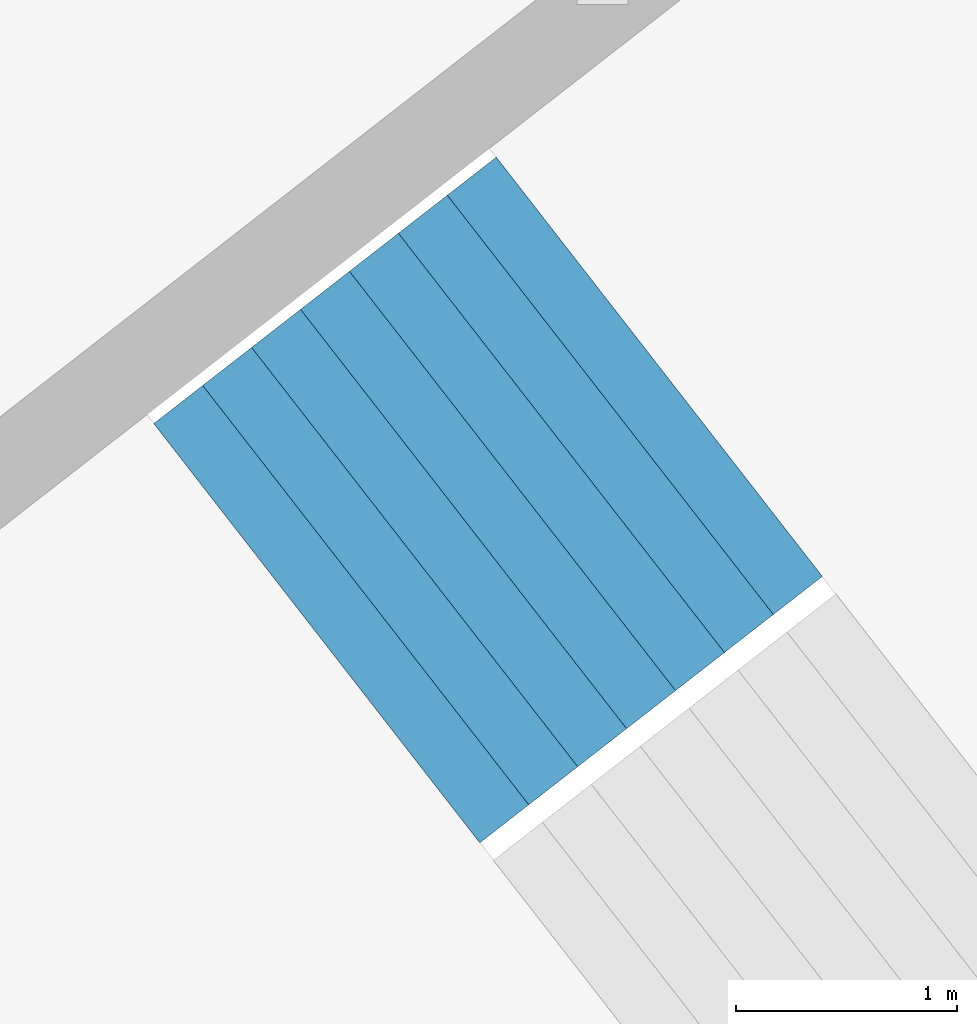
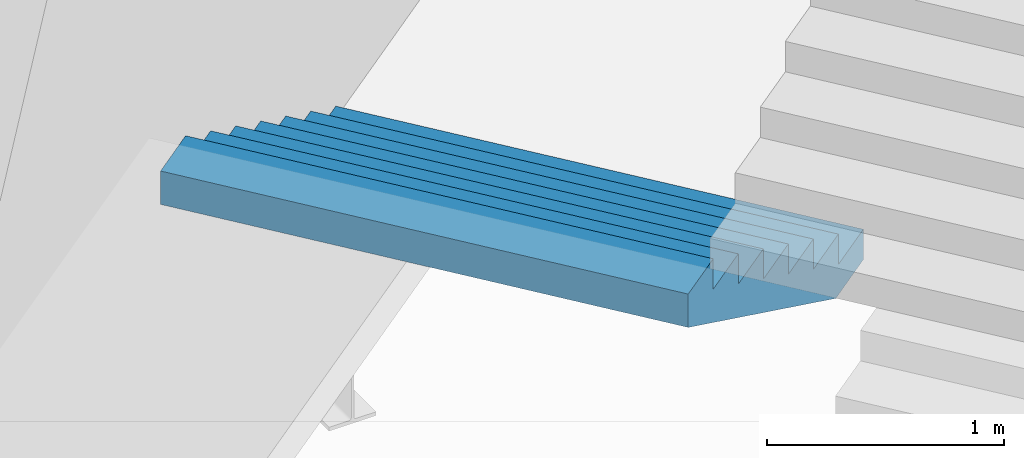
# One storey, part 63 of 73: 1 stair flight, 1 element without a shape of its own.
"""IFC4 building model written with IfcOpenShell, lengths in metres."""

from ifc_helpers import new_model, si_unit, direction, frame, origin, place, context, subcontext, project, spatial, triangles, material, type_object, element, aggregate, save


model = new_model("IFC4")

# Units and contexts
model_context = context("Model", 3, precision=1e-05, world=origin(), true_north=direction((0.0, 1.0)))
body_context = subcontext(model_context, "Body", "Model", "MODEL_VIEW")
ifc_project = project(units=[si_unit("LENGTHUNIT", "METRE"), si_unit("AREAUNIT", "SQUARE_METRE"), si_unit("VOLUMEUNIT", "CUBIC_METRE"), si_unit("PLANEANGLEUNIT", "RADIAN"), si_unit("MASSUNIT", "GRAM", prefix="KILO")], contexts=[model_context])

# Site, building, storey
site_placement = place(None, origin())
site = spatial("IfcSite", under=ifc_project, at=site_placement, CompositionType="ELEMENT")
building_placement = place(site_placement, origin())
building = spatial("IfcBuilding", under=site, at=building_placement, Name="Lantaw Convention Tower", CompositionType="ELEMENT")
storey_placement = place(building_placement, frame((0.0, 0.0, 27.0)))
storey = spatial("IfcBuildingStorey", under=building, at=storey_placement, Name="L04", CompositionType="ELEMENT", Elevation=27.0)

# Stair, stair flight
ifc_material = material(Name="Concrete C35/45", Category="concrete")
stair_type = type_object("IfcStairType", Name="Exit stair 2400 riser 156.25 in 4 flights", PredefinedType="HALF_TURN_STAIR", material=ifc_material)
stair_placement = place(storey_placement, origin())
stair = element("IfcStair", 1, at=stair_placement, inside=storey, type_object=stair_type, Name="Podium exit stair P3 L04", PredefinedType="HALF_TURN_STAIR")
stair_flight_type = type_object("IfcStairFlightType", Name="Stair flight 2400 riser 156.25", PredefinedType="STRAIGHT", material=ifc_material)
stair_flight_placement = place(storey_placement, frame((29.5068359375, 24.53125, 1.25), z_axis=(0.0, 0.0, 1.0), x_axis=(-0.789378829664, -0.613906396186, 0.0)))
stair_flight = element("IfcStairFlight", 2, at=stair_flight_placement, type_object=stair_flight_type, Name="P3 flight 2", NumberOfRisers=8, NumberOfTreads=7, PredefinedType="STRAIGHT", RiserHeight=0.15625, TreadLength=0.28, context=body_context, shape_type="Tessellation", body=[
    triangles([(0.0, 1.199951171875, 0.0), (0.0, 1.199951171875, 0.15625), (0.28, 1.199951171875, 0.0), (0.28, 1.199951171875, 0.15625), (0.28, 1.199951171875, 0.3125), (0.3076200632058044, 1.199951171875, 0.0), (0.3076200632058044, 1.199951171875, 0.3125), (0.56, 1.199951171875, 0.14083701830033238), (0.56, 1.199951171875, 0.3125), (0.56, 1.199951171875, 0.46875), (0.8400000000000001, 1.199951171875, 0.29708701830033235), (0.8400000000000001, 1.199951171875, 0.46875), (0.8400000000000001, 1.199951171875, 0.625), (1.12, 1.199951171875, 0.45333701830033235), (1.12, 1.199951171875, 0.625), (1.12, 1.199951171875, 0.78125), (1.4000000000000001, 1.199951171875, 0.6095870183003324), (1.4000000000000001, 1.199951171875, 0.78125), (1.4000000000000001, 1.199951171875, 0.9375), (1.6800000000000002, 1.199951171875, 0.7658370183003324), (1.6800000000000002, 1.199951171875, 0.9375), (1.6800000000000002, 1.199951171875, 1.09375), (1.9600000000000002, 1.199951171875, 0.9220870183003324), (1.9600000000000002, 1.199951171875, 1.09375), (0.0, -1.199951171875, 0.0), (0.0, -1.199951171875, 0.15625), (0.28, -1.199951171875, 0.0), (0.28, -1.199951171875, 0.15625), (0.28, -1.199951171875, 0.3125), (0.3076200632058044, -1.199951171875, 0.0), (0.3076200632058044, -1.199951171875, 0.3125), (0.56, -1.199951171875, 0.14083701830033238), (0.56, -1.199951171875, 0.3125), (0.56, -1.199951171875, 0.46875), (0.8400000000000001, -1.199951171875, 0.29708701830033235), (0.8400000000000001, -1.199951171875, 0.46875), (0.8400000000000001, -1.199951171875, 0.625), (1.12, -1.199951171875, 0.45333701830033235), (1.12, -1.199951171875, 0.625), (1.12, -1.199951171875, 0.78125), (1.4000000000000001, -1.199951171875, 0.6095870183003324), (1.4000000000000001, -1.199951171875, 0.78125), (1.4000000000000001, -1.199951171875, 0.9375), (1.6800000000000002, -1.199951171875, 0.7658370183003324), (1.6800000000000002, -1.199951171875, 0.9375), (1.6800000000000002, -1.199951171875, 1.09375), (1.9600000000000002, -1.199951171875, 0.9220870183003324), (1.9600000000000002, -1.199951171875, 1.09375), (0.0, 0.239990234375, 0.15625), (0.0, 0.239990234375, 0.0), (0.0, 0.1919921875, 0.15625), (0.0, 0.1919921875, 0.0), (0.0, 0.143994140625, 0.15625), (0.0, 0.143994140625, 0.0), (0.0, 0.09599609375, 0.15625), (0.0, 0.09599609375, 0.0), (0.0, 0.047998046875, 0.15625), (0.0, 0.047998046875, 0.0), (0.0, 0.0, 0.15625), (0.0, 0.0, 0.0), (0.0, -0.047998046875, 0.15625), (0.0, -0.047998046875, 0.0), (0.0, -0.09599609375, 0.15625), (0.0, -0.09599609375, 0.0), (0.0, -0.143994140625, 0.15625), (0.0, -0.143994140625, 0.0), (0.0, -0.1919921875, 0.15625), (0.0, -0.1919921875, 0.0), (0.0, -0.239990234375, 0.15625), (0.0, -0.239990234375, 0.0), (0.28, 0.239990234375, 0.3125), (0.28, 0.239990234375, 0.15625), (0.28, 0.1919921875, 0.3125), (0.28, 0.1919921875, 0.15625), (0.28, 0.143994140625, 0.3125), (0.28, 0.143994140625, 0.15625), (0.28, 0.09599609375, 0.3125), (0.28, 0.09599609375, 0.15625), (0.28, 0.047998046875, 0.3125), (0.28, 0.047998046875, 0.15625), (0.28, 0.0, 0.3125), (0.28, 0.0, 0.15625), (0.28, -0.047998046875, 0.3125), (0.28, -0.047998046875, 0.15625), (0.28, -0.09599609375, 0.3125), (0.28, -0.09599609375, 0.15625), (0.28, -0.143994140625, 0.3125), (0.28, -0.143994140625, 0.15625), (0.28, -0.1919921875, 0.3125), (0.28, -0.1919921875, 0.15625), (0.28, -0.239990234375, 0.3125), (0.28, -0.239990234375, 0.15625), (0.56, 0.239990234375, 0.46875), (0.56, 0.239990234375, 0.3125), (0.56, 0.1919921875, 0.46875), (0.56, 0.1919921875, 0.3125), (0.56, 0.143994140625, 0.46875), (0.56, 0.143994140625, 0.3125), (0.56, 0.09599609375, 0.46875), (0.56, 0.09599609375, 0.3125), (0.56, 0.047998046875, 0.46875), (0.56, 0.047998046875, 0.3125), (0.56, 0.0, 0.46875), (0.56, 0.0, 0.3125), (0.56, -0.047998046875, 0.46875), (0.56, -0.047998046875, 0.3125), (0.56, -0.09599609375, 0.46875), (0.56, -0.09599609375, 0.3125), (0.56, -0.143994140625, 0.46875), (0.56, -0.143994140625, 0.3125), (0.56, -0.1919921875, 0.46875), (0.56, -0.1919921875, 0.3125), (0.56, -0.239990234375, 0.46875), (0.56, -0.239990234375, 0.3125), (0.8400000000000001, 0.239990234375, 0.625), (0.8400000000000001, 0.239990234375, 0.46875), (0.8400000000000001, 0.1919921875, 0.625), (0.8400000000000001, 0.1919921875, 0.46875), (0.8400000000000001, 0.143994140625, 0.625), (0.8400000000000001, 0.143994140625, 0.46875), (0.8400000000000001, 0.09599609375, 0.625), (0.8400000000000001, 0.09599609375, 0.46875), (0.8400000000000001, 0.047998046875, 0.625), (0.8400000000000001, 0.047998046875, 0.46875), (0.8400000000000001, 0.0, 0.625), (0.8400000000000001, 0.0, 0.46875), (0.8400000000000001, -0.047998046875, 0.625), (0.8400000000000001, -0.047998046875, 0.46875), (0.8400000000000001, -0.09599609375, 0.625), (0.8400000000000001, -0.09599609375, 0.46875), (0.8400000000000001, -0.143994140625, 0.625), (0.8400000000000001, -0.143994140625, 0.46875), (0.8400000000000001, -0.1919921875, 0.625), (0.8400000000000001, -0.1919921875, 0.46875), (0.8400000000000001, -0.239990234375, 0.625), (0.8400000000000001, -0.239990234375, 0.46875), (1.12, 0.239990234375, 0.78125), (1.12, 0.239990234375, 0.625), (1.12, 0.1919921875, 0.78125), (1.12, 0.1919921875, 0.625), (1.12, 0.143994140625, 0.78125), (1.12, 0.143994140625, 0.625), (1.12, 0.09599609375, 0.78125), (1.12, 0.09599609375, 0.625), (1.12, 0.047998046875, 0.78125), (1.12, 0.047998046875, 0.625), (1.12, 0.0, 0.78125), (1.12, 0.0, 0.625), (1.12, -0.047998046875, 0.78125), (1.12, -0.047998046875, 0.625), (1.12, -0.09599609375, 0.78125), (1.12, -0.09599609375, 0.625), (1.12, -0.143994140625, 0.78125), (1.12, -0.143994140625, 0.625), (1.12, -0.1919921875, 0.78125), (1.12, -0.1919921875, 0.625), (1.12, -0.239990234375, 0.78125), (1.12, -0.239990234375, 0.625), (1.4000000000000001, 0.239990234375, 0.9375), (1.4000000000000001, 0.239990234375, 0.78125), (1.4000000000000001, 0.1919921875, 0.9375), (1.4000000000000001, 0.1919921875, 0.78125), (1.4000000000000001, 0.143994140625, 0.9375), (1.4000000000000001, 0.143994140625, 0.78125), (1.4000000000000001, 0.09599609375, 0.9375), (1.4000000000000001, 0.09599609375, 0.78125), (1.4000000000000001, 0.047998046875, 0.9375), (1.4000000000000001, 0.047998046875, 0.78125), (1.4000000000000001, 0.0, 0.9375), (1.4000000000000001, 0.0, 0.78125), (1.4000000000000001, -0.047998046875, 0.9375), (1.4000000000000001, -0.047998046875, 0.78125), (1.4000000000000001, -0.09599609375, 0.9375), (1.4000000000000001, -0.09599609375, 0.78125), (1.4000000000000001, -0.143994140625, 0.9375), (1.4000000000000001, -0.143994140625, 0.78125), (1.4000000000000001, -0.1919921875, 0.9375), (1.4000000000000001, -0.1919921875, 0.78125), (1.4000000000000001, -0.239990234375, 0.9375), (1.4000000000000001, -0.239990234375, 0.78125), (1.6800000000000002, 0.239990234375, 1.09375), (1.6800000000000002, 0.239990234375, 0.9375), (1.6800000000000002, 0.1919921875, 1.09375), (1.6800000000000002, 0.1919921875, 0.9375), (1.6800000000000002, 0.143994140625, 1.09375), (1.6800000000000002, 0.143994140625, 0.9375), (1.6800000000000002, 0.09599609375, 1.09375), (1.6800000000000002, 0.09599609375, 0.9375), (1.6800000000000002, 0.047998046875, 1.09375), (1.6800000000000002, 0.047998046875, 0.9375), (1.6800000000000002, 0.0, 1.09375), (1.6800000000000002, 0.0, 0.9375), (1.6800000000000002, -0.047998046875, 1.09375), (1.6800000000000002, -0.047998046875, 0.9375), (1.6800000000000002, -0.09599609375, 1.09375), (1.6800000000000002, -0.09599609375, 0.9375), (1.6800000000000002, -0.143994140625, 1.09375), (1.6800000000000002, -0.143994140625, 0.9375), (1.6800000000000002, -0.1919921875, 1.09375), (1.6800000000000002, -0.1919921875, 0.9375), (1.6800000000000002, -0.239990234375, 1.09375), (1.6800000000000002, -0.239990234375, 0.9375), (0.3076200632058044, 0.239990234375, 0.3125), (0.3076200632058044, 0.1919921875, 0.3125), (0.3076200632058044, 0.143994140625, 0.3125), (0.3076200632058044, 0.09599609375, 0.3125), (0.3076200632058044, 0.047998046875, 0.3125), (0.3076200632058044, 0.0, 0.3125), (0.3076200632058044, -0.047998046875, 0.3125), (0.3076200632058044, -0.09599609375, 0.3125), (0.3076200632058044, -0.143994140625, 0.3125), (0.3076200632058044, -0.1919921875, 0.3125), (0.3076200632058044, -0.239990234375, 0.3125), (1.9600000000000002, 0.239990234375, 1.09375), (1.9600000000000002, 0.1919921875, 1.09375), (1.9600000000000002, 0.143994140625, 1.09375), (1.9600000000000002, 0.09599609375, 1.09375), (1.9600000000000002, 0.047998046875, 1.09375), (1.9600000000000002, 0.0, 1.09375), (1.9600000000000002, -0.047998046875, 1.09375), (1.9600000000000002, -0.09599609375, 1.09375), (1.9600000000000002, -0.143994140625, 1.09375), (1.9600000000000002, -0.1919921875, 1.09375), (1.9600000000000002, -0.239990234375, 1.09375), (1.9600000000000002, 0.239990234375, 0.9220870183003324), (1.9600000000000002, 0.1919921875, 0.9220870183003324), (1.9600000000000002, 0.143994140625, 0.9220870183003324), (1.9600000000000002, 0.09599609375, 0.9220870183003324), (1.9600000000000002, 0.047998046875, 0.9220870183003324), (1.9600000000000002, 0.0, 0.9220870183003324), (1.9600000000000002, -0.047998046875, 0.9220870183003324), (1.9600000000000002, -0.09599609375, 0.9220870183003324), (1.9600000000000002, -0.143994140625, 0.9220870183003324), (1.9600000000000002, -0.1919921875, 0.9220870183003324), (1.9600000000000002, -0.239990234375, 0.9220870183003324), (1.6800000000000002, 0.239990234375, 0.7658370183003324), (1.6800000000000002, 0.1919921875, 0.7658370183003324), (1.6800000000000002, 0.143994140625, 0.7658370183003324), (1.6800000000000002, 0.09599609375, 0.7658370183003324), (1.6800000000000002, 0.047998046875, 0.7658370183003324), (1.6800000000000002, 0.0, 0.7658370183003324), (1.6800000000000002, -0.047998046875, 0.7658370183003324), (1.6800000000000002, -0.09599609375, 0.7658370183003324), (1.6800000000000002, -0.143994140625, 0.7658370183003324), (1.6800000000000002, -0.1919921875, 0.7658370183003324), (1.6800000000000002, -0.239990234375, 0.7658370183003324), (1.4000000000000001, 0.239990234375, 0.6095870183003324), (1.4000000000000001, 0.1919921875, 0.6095870183003324), (1.4000000000000001, 0.143994140625, 0.6095870183003324), (1.4000000000000001, 0.09599609375, 0.6095870183003324), (1.4000000000000001, 0.047998046875, 0.6095870183003324), (1.4000000000000001, 0.0, 0.6095870183003324), (1.4000000000000001, -0.047998046875, 0.6095870183003324), (1.4000000000000001, -0.09599609375, 0.6095870183003324), (1.4000000000000001, -0.143994140625, 0.6095870183003324), (1.4000000000000001, -0.1919921875, 0.6095870183003324), (1.4000000000000001, -0.239990234375, 0.6095870183003324), (1.12, 0.239990234375, 0.45333701830033235), (1.12, 0.1919921875, 0.45333701830033235), (1.12, 0.143994140625, 0.45333701830033235), (1.12, 0.09599609375, 0.45333701830033235), (1.12, 0.047998046875, 0.45333701830033235), (1.12, 0.0, 0.45333701830033235), (1.12, -0.047998046875, 0.45333701830033235), (1.12, -0.09599609375, 0.45333701830033235), (1.12, -0.143994140625, 0.45333701830033235), (1.12, -0.1919921875, 0.45333701830033235), (1.12, -0.239990234375, 0.45333701830033235), (0.8400000000000001, 0.239990234375, 0.29708701830033235), (0.8400000000000001, 0.1919921875, 0.29708701830033235), (0.8400000000000001, 0.143994140625, 0.29708701830033235), (0.8400000000000001, 0.09599609375, 0.29708701830033235), (0.8400000000000001, 0.047998046875, 0.29708701830033235), (0.8400000000000001, 0.0, 0.29708701830033235), (0.8400000000000001, -0.047998046875, 0.29708701830033235), (0.8400000000000001, -0.09599609375, 0.29708701830033235), (0.8400000000000001, -0.143994140625, 0.29708701830033235), (0.8400000000000001, -0.1919921875, 0.29708701830033235), (0.8400000000000001, -0.239990234375, 0.29708701830033235), (0.56, 0.239990234375, 0.14083701830033238), (0.56, 0.1919921875, 0.14083701830033238), (0.56, 0.143994140625, 0.14083701830033238), (0.56, 0.09599609375, 0.14083701830033238), (0.56, 0.047998046875, 0.14083701830033238), (0.56, 0.0, 0.14083701830033238), (0.56, -0.047998046875, 0.14083701830033238), (0.56, -0.09599609375, 0.14083701830033238), (0.56, -0.143994140625, 0.14083701830033238), (0.56, -0.1919921875, 0.14083701830033238), (0.56, -0.239990234375, 0.14083701830033238), (0.3076200632058044, 0.239990234375, 0.0), (0.3076200632058044, 0.1919921875, 0.0), (0.3076200632058044, 0.143994140625, 0.0), (0.3076200632058044, 0.09599609375, 0.0), (0.3076200632058044, 0.047998046875, 0.0), (0.3076200632058044, 0.0, 0.0), (0.3076200632058044, -0.047998046875, 0.0), (0.3076200632058044, -0.09599609375, 0.0), (0.3076200632058044, -0.143994140625, 0.0), (0.3076200632058044, -0.1919921875, 0.0), (0.3076200632058044, -0.239990234375, 0.0), (0.28, 0.239990234375, 0.0), (0.28, 0.1919921875, 0.0), (0.28, 0.143994140625, 0.0), (0.28, 0.09599609375, 0.0), (0.28, 0.047998046875, 0.0), (0.28, 0.0, 0.0), (0.28, -0.047998046875, 0.0), (0.28, -0.09599609375, 0.0), (0.28, -0.143994140625, 0.0), (0.28, -0.1919921875, 0.0), (0.28, -0.239990234375, 0.0)], [[1, 4, 3], [1, 2, 4], [3, 4, 6], [4, 7, 6], [4, 5, 7], [6, 9, 8], [6, 7, 9], [8, 9, 11], [9, 12, 11], [9, 10, 12], [11, 12, 14], [12, 15, 14], [12, 13, 15], [14, 15, 17], [15, 18, 17], [15, 16, 18], [17, 18, 20], [18, 21, 20], [18, 19, 21], [20, 21, 23], [21, 24, 23], [21, 22, 24], [25, 27, 28], [25, 28, 26], [27, 30, 28], [28, 30, 31], [28, 31, 29], [30, 32, 33], [30, 33, 31], [32, 35, 33], [33, 35, 36], [33, 36, 34], [35, 38, 36], [36, 38, 39], [36, 39, 37], [38, 41, 39], [39, 41, 42], [39, 42, 40], [41, 44, 42], [42, 44, 45], [42, 45, 43], [44, 47, 45], [45, 47, 48], [45, 48, 46], [1, 49, 2], [1, 50, 49], [50, 51, 49], [50, 52, 51], [52, 53, 51], [52, 54, 53], [54, 55, 53], [54, 56, 55], [56, 57, 55], [56, 58, 57], [58, 59, 57], [58, 60, 59], [60, 61, 59], [60, 62, 61], [62, 63, 61], [62, 64, 63], [64, 65, 63], [64, 66, 65], [66, 67, 65], [66, 68, 67], [68, 69, 67], [68, 70, 69], [70, 26, 69], [70, 25, 26], [4, 71, 5], [4, 72, 71], [72, 73, 71], [72, 74, 73], [74, 75, 73], [74, 76, 75], [76, 77, 75], [76, 78, 77], [78, 79, 77], [78, 80, 79], [80, 81, 79], [80, 82, 81], [82, 83, 81], [82, 84, 83], [84, 85, 83], [84, 86, 85], [86, 87, 85], [86, 88, 87], [88, 89, 87], [88, 90, 89], [90, 91, 89], [90, 92, 91], [92, 29, 91], [92, 28, 29], [9, 93, 10], [9, 94, 93], [94, 95, 93], [94, 96, 95], [96, 97, 95], [96, 98, 97], [98, 99, 97], [98, 100, 99], [100, 101, 99], [100, 102, 101], [102, 103, 101], [102, 104, 103], [104, 105, 103], [104, 106, 105], [106, 107, 105], [106, 108, 107], [108, 109, 107], [108, 110, 109], [110, 111, 109], [110, 112, 111], [112, 113, 111], [112, 114, 113], [114, 34, 113], [114, 33, 34], [12, 115, 13], [12, 116, 115], [116, 117, 115], [116, 118, 117], [118, 119, 117], [118, 120, 119], [120, 121, 119], [120, 122, 121], [122, 123, 121], [122, 124, 123], [124, 125, 123], [124, 126, 125], [126, 127, 125], [126, 128, 127], [128, 129, 127], [128, 130, 129], [130, 131, 129], [130, 132, 131], [132, 133, 131], [132, 134, 133], [134, 135, 133], [134, 136, 135], [136, 37, 135], [136, 36, 37], [15, 137, 16], [15, 138, 137], [138, 139, 137], [138, 140, 139], [140, 141, 139], [140, 142, 141], [142, 143, 141], [142, 144, 143], [144, 145, 143], [144, 146, 145], [146, 147, 145], [146, 148, 147], [148, 149, 147], [148, 150, 149], [150, 151, 149], [150, 152, 151], [152, 153, 151], [152, 154, 153], [154, 155, 153], [154, 156, 155], [156, 157, 155], [156, 158, 157], [158, 40, 157], [158, 39, 40], [18, 159, 19], [18, 160, 159], [160, 161, 159], [160, 162, 161], [162, 163, 161], [162, 164, 163], [164, 165, 163], [164, 166, 165], [166, 167, 165], [166, 168, 167], [168, 169, 167], [168, 170, 169], [170, 171, 169], [170, 172, 171], [172, 173, 171], [172, 174, 173], [174, 175, 173], [174, 176, 175], [176, 177, 175], [176, 178, 177], [178, 179, 177], [178, 180, 179], [180, 43, 179], [180, 42, 43], [21, 181, 22], [21, 182, 181], [182, 183, 181], [182, 184, 183], [184, 185, 183], [184, 186, 185], [186, 187, 185], [186, 188, 187], [188, 189, 187], [188, 190, 189], [190, 191, 189], [190, 192, 191], [192, 193, 191], [192, 194, 193], [194, 195, 193], [194, 196, 195], [196, 197, 195], [196, 198, 197], [198, 199, 197], [198, 200, 199], [200, 201, 199], [200, 202, 201], [202, 46, 201], [202, 45, 46], [2, 72, 4], [2, 49, 72], [49, 74, 72], [49, 51, 74], [51, 76, 74], [51, 53, 76], [53, 78, 76], [53, 55, 78], [55, 80, 78], [55, 57, 80], [57, 82, 80], [57, 59, 82], [59, 84, 82], [59, 61, 84], [61, 86, 84], [61, 63, 86], [63, 88, 86], [63, 65, 88], [65, 90, 88], [65, 67, 90], [67, 92, 90], [67, 69, 92], [69, 28, 92], [69, 26, 28], [5, 203, 7], [5, 71, 203], [71, 204, 203], [71, 73, 204], [73, 205, 204], [73, 75, 205], [75, 206, 205], [75, 77, 206], [77, 207, 206], [77, 79, 207], [79, 208, 207], [79, 81, 208], [81, 209, 208], [81, 83, 209], [83, 210, 209], [83, 85, 210], [85, 211, 210], [85, 87, 211], [87, 212, 211], [87, 89, 212], [89, 213, 212], [89, 91, 213], [91, 31, 213], [91, 29, 31], [7, 94, 9], [7, 203, 94], [203, 96, 94], [203, 204, 96], [204, 98, 96], [204, 205, 98], [205, 100, 98], [205, 206, 100], [206, 102, 100], [206, 207, 102], [207, 104, 102], [207, 208, 104], [208, 106, 104], [208, 209, 106], [209, 108, 106], [209, 210, 108], [210, 110, 108], [210, 211, 110], [211, 112, 110], [211, 212, 112], [212, 114, 112], [212, 213, 114], [213, 33, 114], [213, 31, 33], [10, 116, 12], [10, 93, 116], [93, 118, 116], [93, 95, 118], [95, 120, 118], [95, 97, 120], [97, 122, 120], [97, 99, 122], [99, 124, 122], [99, 101, 124], [101, 126, 124], [101, 103, 126], [103, 128, 126], [103, 105, 128], [105, 130, 128], [105, 107, 130], [107, 132, 130], [107, 109, 132], [109, 134, 132], [109, 111, 134], [111, 136, 134], [111, 113, 136], [113, 36, 136], [113, 34, 36], [13, 138, 15], [13, 115, 138], [115, 140, 138], [115, 117, 140], [117, 142, 140], [117, 119, 142], [119, 144, 142], [119, 121, 144], [121, 146, 144], [121, 123, 146], [123, 148, 146], [123, 125, 148], [125, 150, 148], [125, 127, 150], [127, 152, 150], [127, 129, 152], [129, 154, 152], [129, 131, 154], [131, 156, 154], [131, 133, 156], [133, 158, 156], [133, 135, 158], [135, 39, 158], [135, 37, 39], [16, 160, 18], [16, 137, 160], [137, 162, 160], [137, 139, 162], [139, 164, 162], [139, 141, 164], [141, 166, 164], [141, 143, 166], [143, 168, 166], [143, 145, 168], [145, 170, 168], [145, 147, 170], [147, 172, 170], [147, 149, 172], [149, 174, 172], [149, 151, 174], [151, 176, 174], [151, 153, 176], [153, 178, 176], [153, 155, 178], [155, 180, 178], [155, 157, 180], [157, 42, 180], [157, 40, 42], [19, 182, 21], [19, 159, 182], [159, 184, 182], [159, 161, 184], [161, 186, 184], [161, 163, 186], [163, 188, 186], [163, 165, 188], [165, 190, 188], [165, 167, 190], [167, 192, 190], [167, 169, 192], [169, 194, 192], [169, 171, 194], [171, 196, 194], [171, 173, 196], [173, 198, 196], [173, 175, 198], [175, 200, 198], [175, 177, 200], [177, 202, 200], [177, 179, 202], [179, 45, 202], [179, 43, 45], [22, 214, 24], [22, 181, 214], [181, 215, 214], [181, 183, 215], [183, 216, 215], [183, 185, 216], [185, 217, 216], [185, 187, 217], [187, 218, 217], [187, 189, 218], [189, 219, 218], [189, 191, 219], [191, 220, 219], [191, 193, 220], [193, 221, 220], [193, 195, 221], [195, 222, 221], [195, 197, 222], [197, 223, 222], [197, 199, 223], [199, 224, 223], [199, 201, 224], [201, 48, 224], [201, 46, 48], [24, 225, 23], [24, 214, 225], [214, 226, 225], [214, 215, 226], [215, 227, 226], [215, 216, 227], [216, 228, 227], [216, 217, 228], [217, 229, 228], [217, 218, 229], [218, 230, 229], [218, 219, 230], [219, 231, 230], [219, 220, 231], [220, 232, 231], [220, 221, 232], [221, 233, 232], [221, 222, 233], [222, 234, 233], [222, 223, 234], [223, 235, 234], [223, 224, 235], [224, 47, 235], [224, 48, 47], [23, 236, 20], [23, 225, 236], [225, 237, 236], [225, 226, 237], [226, 238, 237], [226, 227, 238], [227, 239, 238], [227, 228, 239], [228, 240, 239], [228, 229, 240], [229, 241, 240], [229, 230, 241], [230, 242, 241], [230, 231, 242], [231, 243, 242], [231, 232, 243], [232, 244, 243], [232, 233, 244], [233, 245, 244], [233, 234, 245], [234, 246, 245], [234, 235, 246], [235, 44, 246], [235, 47, 44], [20, 247, 17], [20, 236, 247], [236, 248, 247], [236, 237, 248], [237, 249, 248], [237, 238, 249], [238, 250, 249], [238, 239, 250], [239, 251, 250], [239, 240, 251], [240, 252, 251], [240, 241, 252], [241, 253, 252], [241, 242, 253], [242, 254, 253], [242, 243, 254], [243, 255, 254], [243, 244, 255], [244, 256, 255], [244, 245, 256], [245, 257, 256], [245, 246, 257], [246, 41, 257], [246, 44, 41], [17, 258, 14], [17, 247, 258], [247, 259, 258], [247, 248, 259], [248, 260, 259], [248, 249, 260], [249, 261, 260], [249, 250, 261], [250, 262, 261], [250, 251, 262], [251, 263, 262], [251, 252, 263], [252, 264, 263], [252, 253, 264], [253, 265, 264], [253, 254, 265], [254, 266, 265], [254, 255, 266], [255, 267, 266], [255, 256, 267], [256, 268, 267], [256, 257, 268], [257, 38, 268], [257, 41, 38], [14, 269, 11], [14, 258, 269], [258, 270, 269], [258, 259, 270], [259, 271, 270], [259, 260, 271], [260, 272, 271], [260, 261, 272], [261, 273, 272], [261, 262, 273], [262, 274, 273], [262, 263, 274], [263, 275, 274], [263, 264, 275], [264, 276, 275], [264, 265, 276], [265, 277, 276], [265, 266, 277], [266, 278, 277], [266, 267, 278], [267, 279, 278], [267, 268, 279], [268, 35, 279], [268, 38, 35], [11, 280, 8], [11, 269, 280], [269, 281, 280], [269, 270, 281], [270, 282, 281], [270, 271, 282], [271, 283, 282], [271, 272, 283], [272, 284, 283], [272, 273, 284], [273, 285, 284], [273, 274, 285], [274, 286, 285], [274, 275, 286], [275, 287, 286], [275, 276, 287], [276, 288, 287], [276, 277, 288], [277, 289, 288], [277, 278, 289], [278, 290, 289], [278, 279, 290], [279, 32, 290], [279, 35, 32], [8, 291, 6], [8, 280, 291], [280, 292, 291], [280, 281, 292], [281, 293, 292], [281, 282, 293], [282, 294, 293], [282, 283, 294], [283, 295, 294], [283, 284, 295], [284, 296, 295], [284, 285, 296], [285, 297, 296], [285, 286, 297], [286, 298, 297], [286, 287, 298], [287, 299, 298], [287, 288, 299], [288, 300, 299], [288, 289, 300], [289, 301, 300], [289, 290, 301], [290, 30, 301], [290, 32, 30], [6, 302, 3], [6, 291, 302], [291, 303, 302], [291, 292, 303], [292, 304, 303], [292, 293, 304], [293, 305, 304], [293, 294, 305], [294, 306, 305], [294, 295, 306], [295, 307, 306], [295, 296, 307], [296, 308, 307], [296, 297, 308], [297, 309, 308], [297, 298, 309], [298, 310, 309], [298, 299, 310], [299, 311, 310], [299, 300, 311], [300, 312, 311], [300, 301, 312], [301, 27, 312], [301, 30, 27], [3, 50, 1], [3, 302, 50], [302, 52, 50], [302, 303, 52], [303, 54, 52], [303, 304, 54], [304, 56, 54], [304, 305, 56], [305, 58, 56], [305, 306, 58], [306, 60, 58], [306, 307, 60], [307, 62, 60], [307, 308, 62], [308, 64, 62], [308, 309, 64], [309, 66, 64], [309, 310, 66], [310, 68, 66], [310, 311, 68], [311, 70, 68], [311, 312, 70], [312, 25, 70], [312, 27, 25]], closed=True),
])
aggregate(stair, [stair_flight])

save(model, "model.ifc")
